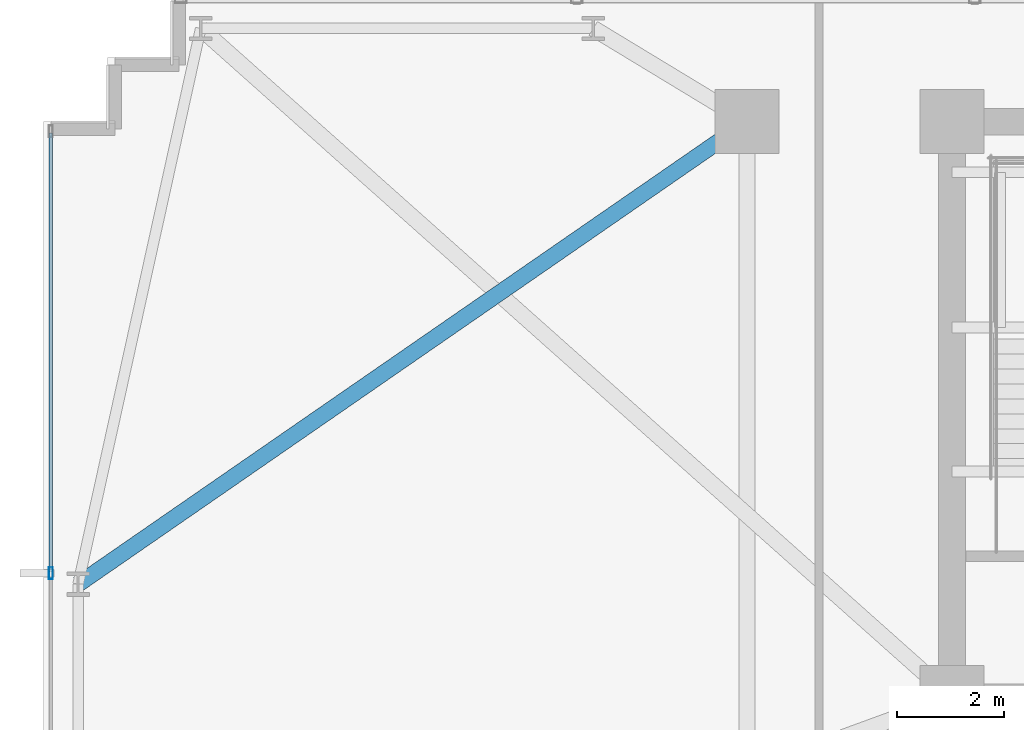
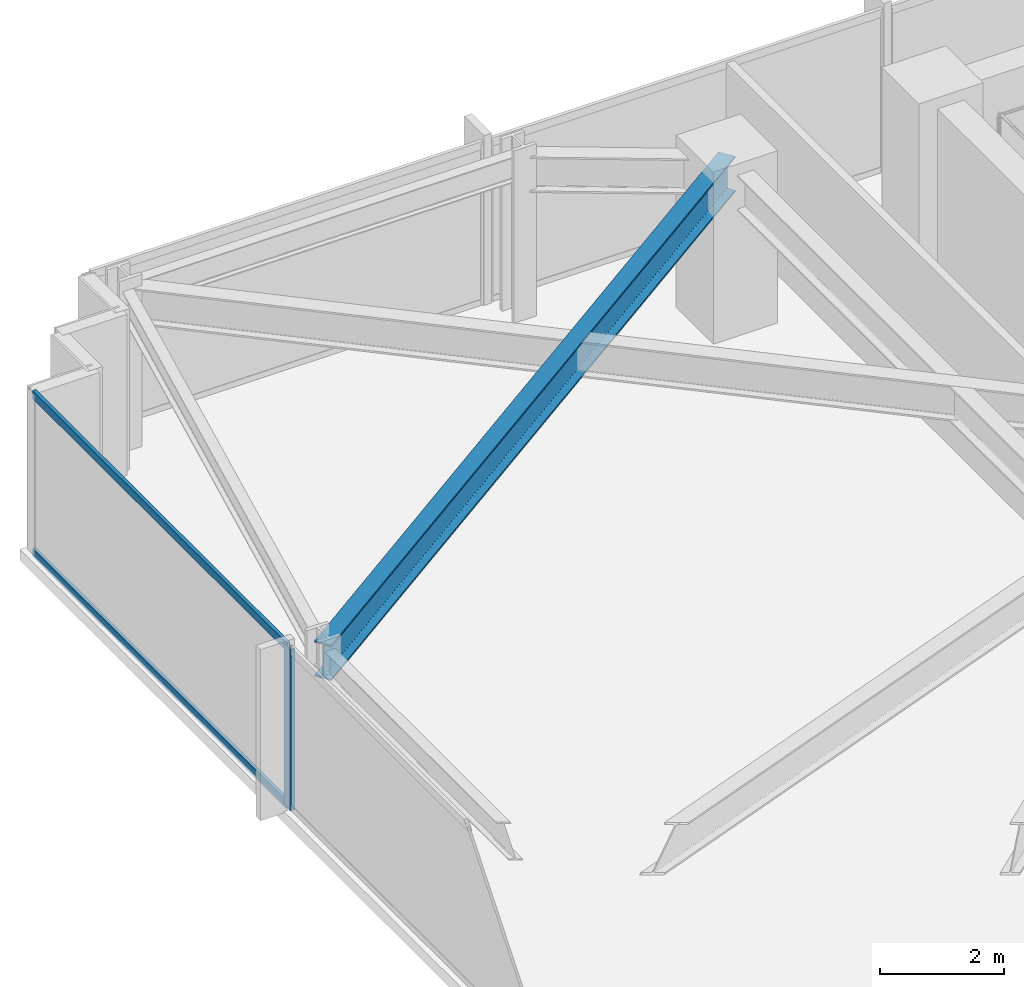
# One storey, part 9 of 32: 3 members, 1 beam, 1 element without a shape of its own.
"""IFC4 building model written with IfcOpenShell, lengths in metres."""

from ifc_helpers import new_model, si_unit, direction, frame, origin, origin_2d, place, context, subcontext, project, spatial, hollow_rectangle, i_section, extrude, material, material_profile, profile_set, type_object, element, aggregate, save


model = new_model("IFC4")

# Units and contexts
model_context = context("Model", 3, precision=1e-05, world=origin(), true_north=direction((0.0, 1.0)))
body_context = subcontext(model_context, "Body", "Model", "MODEL_VIEW")
ifc_project = project(units=[si_unit("LENGTHUNIT", "METRE"), si_unit("AREAUNIT", "SQUARE_METRE"), si_unit("VOLUMEUNIT", "CUBIC_METRE"), si_unit("PLANEANGLEUNIT", "RADIAN"), si_unit("MASSUNIT", "GRAM", prefix="KILO")], contexts=[model_context])

# Site, building, storey
site_placement = place(None, origin())
site = spatial("IfcSite", under=ifc_project, at=site_placement, CompositionType="ELEMENT")
building_placement = place(site_placement, origin())
building = spatial("IfcBuilding", under=site, at=building_placement, Name="Yelkora Congress Tower", CompositionType="ELEMENT")
storey_placement = place(building_placement, frame((0.0, 0.0, 50.800048828125)))
storey = spatial("IfcBuildingStorey", under=building, at=storey_placement, Name="L12", CompositionType="ELEMENT", Elevation=50.800048828125)

# Beam
ifc_material_1 = material(Name="Steel S355J2", Category="steel")
ifc_material_profile_1 = material_profile(ifc_material_1, i_section(OverallWidth=0.300048828125, OverallDepth=0.699951171875, WebThickness=0.01708984375, FlangeThickness=0.031982421875, FilletRadius=0.027099609375, at=origin_2d()), Name="HEB 700")
ifc_profile_set_1 = profile_set([ifc_material_profile_1], Name="Steel S355J2")
beam_type = type_object("IfcBeamType", Name="BM-GIRD-HEB700", PredefinedType="BEAM", material=ifc_profile_set_1)
beam_placement = place(storey_placement, frame((6.64990234375, 37.52490234375, 2.829833984375), z_axis=(0.822604454175, 0.568614027238, 0.0), x_axis=(-0.568614027238, 0.822604454175, 0.0)))
element("IfcBeam", 1, at=beam_placement, inside=storey, type_object=beam_type, Name="L12 Primary Frame Girder W03", PredefinedType="BEAM", context=body_context, shape_type="SweptSolid", body=[
    extrude(i_section(OverallWidth=0.300048828125, OverallDepth=0.699951171875, WebThickness=0.01708984375, FlangeThickness=0.031982421875, FilletRadius=0.027099609375, at=origin_2d()), origin(), (0.0, 0.0, 1.0), 15.256591796875),
])

# Curtain wall, members
ifc_material_2 = material(Name="Anodised aluminium and insulated glass", Category="aluminium")
curtain_wall_type = type_object("IfcCurtainWallType", Name="CW-SYS-B1", PredefinedType="NOTDEFINED", material=ifc_material_2)
curtain_wall_placement = place(storey_placement, origin())
curtain_wall = element("IfcCurtainWall", 2, at=curtain_wall_placement, inside=storey, type_object=curtain_wall_type, Name="L12 Unitised Curtain Wall 5", PredefinedType="NOTDEFINED")
ifc_material_3 = material(Name="Anodised aluminium 6063-T6", Category="aluminium")
ifc_material_profile_2 = material_profile(ifc_material_3, hollow_rectangle(XDim=0.074951171875, YDim=0.219970703125, WallThickness=0.0048828125, at=origin_2d()), Name="ALU 75x220x5")
ifc_profile_set_2 = profile_set([ifc_material_profile_2], Name="Anodised aluminium 6063-T6")
member_type_1 = type_object("IfcMemberType", Name="MEM-ML-B1", PredefinedType="MULLION", material=ifc_profile_set_2)
member_1_placement = place(storey_placement, frame((6.139892578125, 37.72998046875, 0.0), z_axis=(0.0, 0.0, 1.0), x_axis=(-1.0, 0.0, 0.0)))
member_1 = element("IfcMember", 3, at=member_1_placement, type_object=member_type_1, Name="CW-B1 mullion 4", PredefinedType="MULLION", context=body_context, shape_type="SweptSolid", body=[
    extrude(hollow_rectangle(XDim=0.074951171875, YDim=0.219970703125, WallThickness=0.0048828125, at=origin_2d()), origin(), (0.0, 0.0, 1.0), 3.179931640625),
])
ifc_material_profile_3 = material_profile(ifc_material_3, hollow_rectangle(XDim=0.06494140625, YDim=0.159912109375, WallThickness=0.00390625, at=origin_2d()), Name="ALU 65x160x4")
ifc_profile_set_3 = profile_set([ifc_material_profile_3], Name="Anodised aluminium 6063-T6")
member_type_2 = type_object("IfcMemberType", Name="MEM-TR-B1", PredefinedType="USERDEFINED", material=ifc_profile_set_3)
member_2_placement = place(storey_placement, frame((6.139892578125, 37.767578125, 0.032470703125), z_axis=(0.0, 1.0, 0.0), x_axis=(-1.0, 0.0, 0.0)))
member_2 = element("IfcMember", 4, at=member_2_placement, type_object=member_type_2, Name="CW-B1 transom 4.1", ObjectType="TRANSOM", PredefinedType="USERDEFINED", context=body_context, shape_type="SweptSolid", body=[
    extrude(hollow_rectangle(XDim=0.06494140625, YDim=0.159912109375, WallThickness=0.00390625, at=origin_2d()), origin(), (0.0, 0.0, 1.0), 8.217529296875),
])
member_3_placement = place(storey_placement, frame((6.139892578125, 37.767578125, 3.1474609375), z_axis=(0.0, 1.0, 0.0), x_axis=(-1.0, 0.0, 0.0)))
member_3 = element("IfcMember", 5, at=member_3_placement, type_object=member_type_2, Name="CW-B1 transom 4.2", ObjectType="TRANSOM", PredefinedType="USERDEFINED", context=body_context, shape_type="SweptSolid", body=[
    extrude(hollow_rectangle(XDim=0.06494140625, YDim=0.159912109375, WallThickness=0.00390625, at=origin_2d()), origin(), (0.0, 0.0, 1.0), 8.217529296875),
])
aggregate(curtain_wall, [member_1, member_2, member_3])

save(model, "model.ifc")
